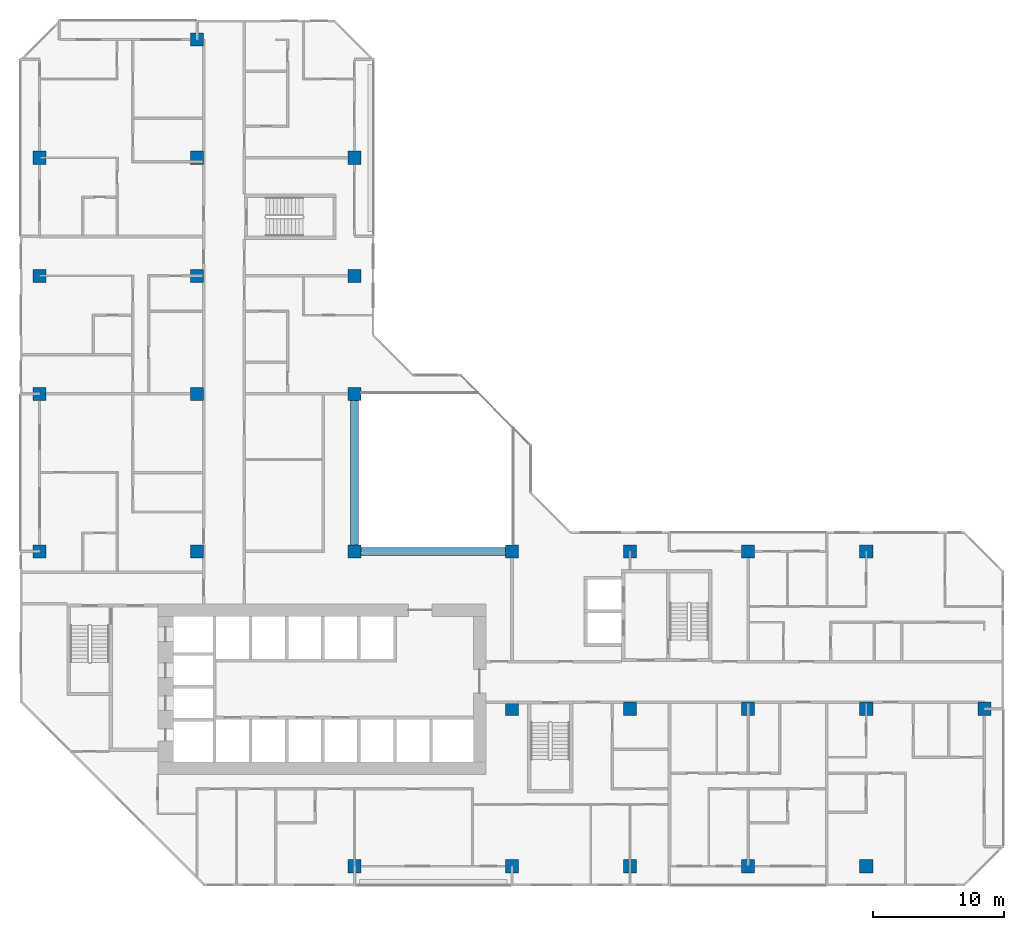
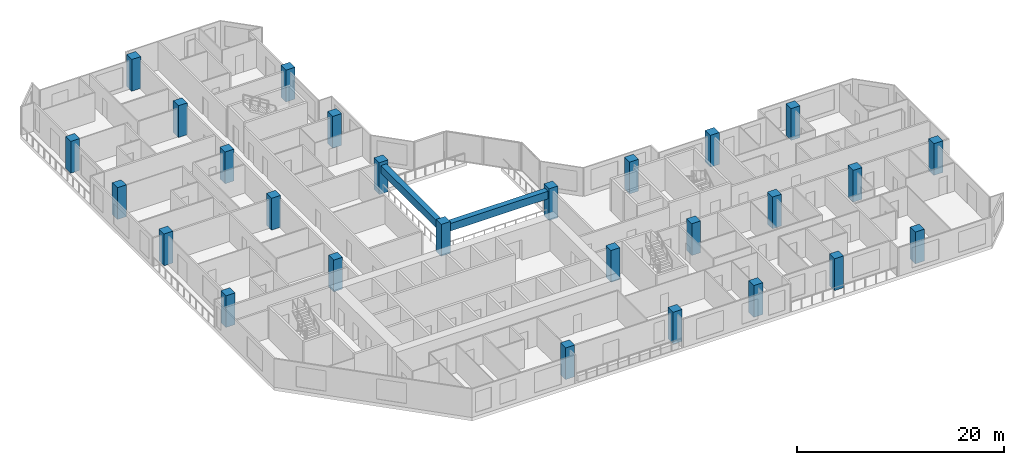
# One storey, part 1 of 14: 27 columns, 2 beams.
"""IFC4 building model written with IfcOpenShell, lengths in metres."""

from ifc_helpers import new_model, si_unit, direction, frame, origin, origin_2d, place, context, subcontext, project, spatial, rectangle, extrude, material, material_profile, profile_set, type_object, element, save


model = new_model("IFC4")

# Units and contexts
model_context = context("Model", 3, precision=1e-05, world=origin(), true_north=direction((0.0, 1.0)))
body_context = subcontext(model_context, "Body", "Model", "MODEL_VIEW")
ifc_project = project(units=[si_unit("LENGTHUNIT", "METRE"), si_unit("AREAUNIT", "SQUARE_METRE"), si_unit("VOLUMEUNIT", "CUBIC_METRE"), si_unit("PLANEANGLEUNIT", "RADIAN"), si_unit("MASSUNIT", "GRAM", prefix="KILO")], contexts=[model_context])

# Site, building, storey
site_placement = place(None, origin())
site = spatial("IfcSite", under=ifc_project, at=site_placement, CompositionType="ELEMENT")
building_placement = place(site_placement, origin())
building = spatial("IfcBuilding", under=site, at=building_placement, Name="Chenar Terraces", CompositionType="ELEMENT")
storey_placement = place(building_placement, frame((0.0, 0.0, 110.64990234375)))
storey = spatial("IfcBuildingStorey", under=building, at=storey_placement, Name="L25", CompositionType="ELEMENT", Elevation=110.64990234375)

# Columns
ifc_material_1 = material(Name="Concrete C70/85", Category="concrete")
ifc_material_profile_1 = material_profile(ifc_material_1, rectangle(XDim=1.0, YDim=1.0, at=origin_2d()), Name="C 1000 x 1000")
ifc_profile_set_1 = profile_set([ifc_material_profile_1], Name="Concrete C70/85")
column_type = type_object("IfcColumnType", Name="Column C 1000 x 1000 Concrete C70/85", PredefinedType="COLUMN", material=ifc_profile_set_1)
column_1_placement = place(storey_placement, frame((0.0, 24.0, 0.0), z_axis=(0.0, 0.0, 1.0), x_axis=(1.0, 0.0, 0.0)))
element("IfcColumn", 1, at=column_1_placement, inside=storey, type_object=column_type, Name="Column 5/G L25", PredefinedType="COLUMN", context=body_context, shape_type="SweptSolid", body=[
    extrude(rectangle(XDim=1.0, YDim=1.0, at=origin_2d()), origin(), (0.0, 0.0, 1.0), 3.75),
])
column_2_placement = place(storey_placement, frame((0.0, 36.0, 0.0), z_axis=(0.0, 0.0, 1.0), x_axis=(1.0, 0.0, 0.0)))
element("IfcColumn", 2, at=column_2_placement, inside=storey, type_object=column_type, Name="Column 5/H L25", PredefinedType="COLUMN", context=body_context, shape_type="SweptSolid", body=[
    extrude(rectangle(XDim=1.0, YDim=1.0, at=origin_2d()), origin(), (0.0, 0.0, 1.0), 3.75),
])
column_3_placement = place(storey_placement, frame((0.0, 45.0, 0.0), z_axis=(0.0, 0.0, 1.0), x_axis=(1.0, 0.0, 0.0)))
element("IfcColumn", 3, at=column_3_placement, inside=storey, type_object=column_type, Name="Column 5/J L25", PredefinedType="COLUMN", context=body_context, shape_type="SweptSolid", body=[
    extrude(rectangle(XDim=1.0, YDim=1.0, at=origin_2d()), origin(), (0.0, 0.0, 1.0), 3.75),
])
for number, where, z_axis, x_axis, name in (
    (4, (0.0, 54.0, 0.0), (0.0, 0.0, 1.0), (1.0, 0.0, 0.0), "Column 5/K L25"),
    (5, (12.0, 24.0, 0.0), (0.0, 0.0, 1.0), (1.0, 0.0, 0.0), "Column 6/G L25"),
    (6, (12.0, 36.0, 0.0), (0.0, 0.0, 1.0), (1.0, 0.0, 0.0), "Column 6/H L25"),
    (7, (12.0, 45.0, 0.0), (0.0, 0.0, 1.0), (1.0, 0.0, 0.0), "Column 6/J L25"),
    (8, (12.0, 54.0, 0.0), (0.0, 0.0, 1.0), (1.0, 0.0, 0.0), "Column 6/K L25"),
    (9, (12.0, 63.0, 0.0), (0.0, 0.0, 1.0), (1.0, 0.0, 0.0), "Column 6/L L25"),
    (10, (24.0, 0.0, 0.0), (0.0, 0.0, 1.0), (1.0, 0.0, 0.0), "Column 7/E L25"),
    (11, (24.0, 24.0, 0.0), (0.0, 0.0, 1.0), (1.0, 0.0, 0.0), "Column 7/G L25"),
    (12, (24.0, 36.0, 0.0), (0.0, 0.0, 1.0), (1.0, 0.0, 0.0), "Column 7/H L25"),
    (13, (24.0, 45.0, 0.0), (0.0, 0.0, 1.0), (1.0, 0.0, 0.0), "Column 7/J L25"),
    (14, (24.0, 54.0, 0.0), (0.0, 0.0, 1.0), (1.0, 0.0, 0.0), "Column 7/K L25"),
    (15, (36.0, 0.0, 0.0), (0.0, 0.0, 1.0), (1.0, 0.0, 0.0), "Column 8/E L25"),
    (16, (36.0, 12.0, 0.0), (0.0, 0.0, 1.0), (1.0, 0.0, 0.0), "Column 8/F L25"),
    (17, (36.0, 24.0, 0.0), (0.0, 0.0, 1.0), (1.0, 0.0, 0.0), "Column 8/G L25"),
    (18, (45.0, 0.0, 0.0), (0.0, 0.0, 1.0), (1.0, 0.0, 0.0), "Column 9/E L25"),
    (19, (45.0, 12.0, 0.0), (0.0, 0.0, 1.0), (1.0, 0.0, 0.0), "Column 9/F L25"),
    (20, (45.0, 24.0, 0.0), (0.0, 0.0, 1.0), (1.0, 0.0, 0.0), "Column 9/G L25"),
    (21, (54.0, 0.0, 0.0), (0.0, 0.0, 1.0), (1.0, 0.0, 0.0), "Column 10/E L25"),
    (22, (54.0, 12.0, 0.0), (0.0, 0.0, 1.0), (1.0, 0.0, 0.0), "Column 10/F L25"),
    (23, (54.0, 24.0, 0.0), (0.0, 0.0, 1.0), (1.0, 0.0, 0.0), "Column 10/G L25"),
    (24, (63.0, 0.0, 0.0), (0.0, 0.0, 1.0), (1.0, 0.0, 0.0), "Column 11/E L25"),
    (25, (63.0, 12.0, 0.0), (0.0, 0.0, 1.0), (1.0, 0.0, 0.0), "Column 11/F L25"),
    (26, (63.0, 24.0, 0.0), (0.0, 0.0, 1.0), (1.0, 0.0, 0.0), "Column 11/G L25"),
    (27, (72.0, 12.0, 0.0), (0.0, 0.0, 1.0), (1.0, 0.0, 0.0), "Column 12/F L25"),
):
    element("IfcColumn", number, at=place(storey_placement, frame(where, z_axis=z_axis, x_axis=x_axis)), inside=storey, type_object=column_type, Name=name, PredefinedType="COLUMN", context=body_context, shape_type="SweptSolid", body=[
        extrude(rectangle(XDim=1.0, YDim=1.0, at=origin_2d()), origin(), (0.0, 0.0, 1.0), 3.75),
    ])

# Beams
ifc_material_2 = material(Name="Concrete C40/50", Category="concrete")
ifc_material_profile_2 = material_profile(ifc_material_2, rectangle(XDim=0.60009765625, YDim=0.89990234375, at=origin_2d()), Name="RC 600 x 900")
ifc_profile_set_2 = profile_set([ifc_material_profile_2], Name="Concrete C40/50")
beam_type = type_object("IfcBeamType", Name="Atrium edge beam 600 x 900 Concrete C40/50", PredefinedType="BEAM", material=ifc_profile_set_2)
for number, where, z_axis, x_axis, name in (
    (28, (24.5, 24.0, 2.900146484375), (1.0, 0.0, 0.0), (0.0, 1.0, 0.0), "Atrium edge beam L26 1"),
    (29, (24.0, 35.5, 2.900146484375), (0.0, -1.0, 0.0), (1.0, 0.0, 0.0), "Atrium edge beam L26 4"),
):
    element("IfcBeam", number, at=place(storey_placement, frame(where, z_axis=z_axis, x_axis=x_axis)), inside=storey, type_object=beam_type, Name=name, PredefinedType="BEAM", context=body_context, shape_type="SweptSolid", body=[
        extrude(rectangle(XDim=0.60009765625, YDim=0.89990234375, at=origin_2d()), origin(), (0.0, 0.0, 1.0), 11.0),
    ])

save(model, "model.ifc")
